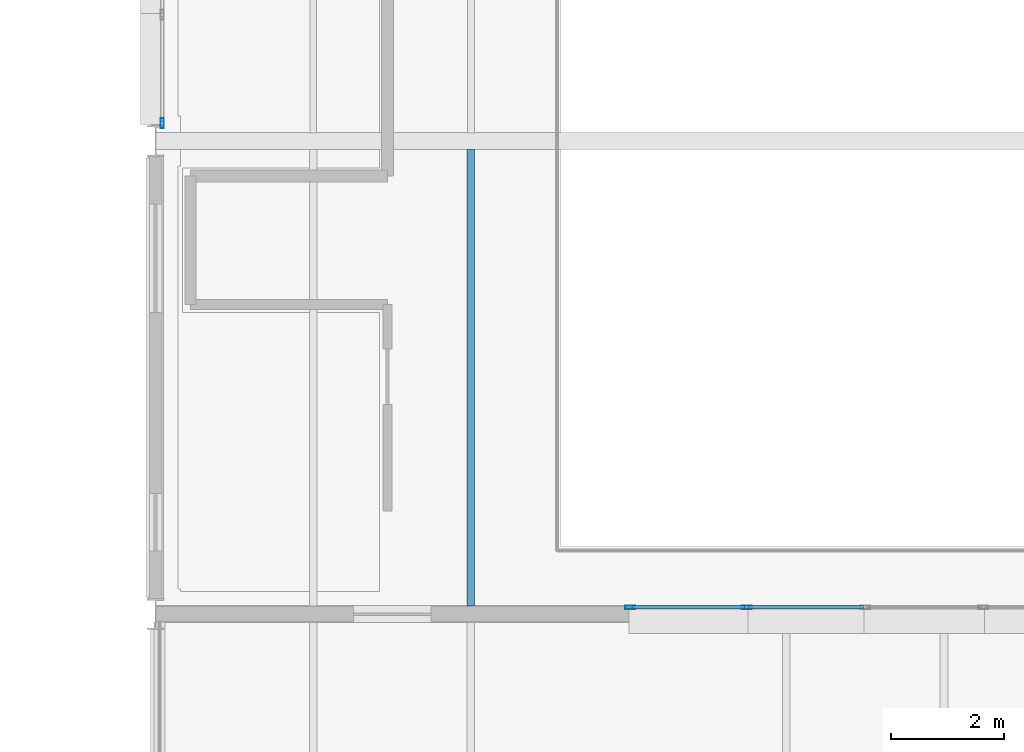
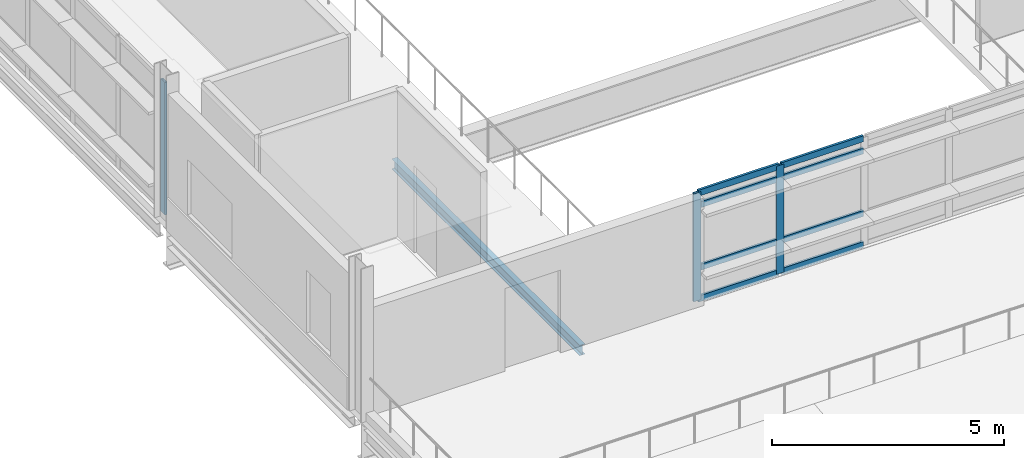
# One storey, part 20 of 131: 11 members, 1 beam, 2 elements without a shape of their own.
"""IFC4 building model written with IfcOpenShell, lengths in metres."""

from ifc_helpers import new_model, si_unit, direction, frame, origin, origin_2d, place, context, subcontext, project, spatial, hollow_rectangle, i_section, extrude, material, material_profile, profile_set, type_object, element, aggregate, save


model = new_model("IFC4")

# Units and contexts
model_context = context("Model", 3, precision=1e-05, world=origin(), true_north=direction((0.0, 1.0)))
body_context = subcontext(model_context, "Body", "Model", "MODEL_VIEW")
ifc_project = project(units=[si_unit("LENGTHUNIT", "METRE"), si_unit("AREAUNIT", "SQUARE_METRE"), si_unit("VOLUMEUNIT", "CUBIC_METRE"), si_unit("PLANEANGLEUNIT", "RADIAN"), si_unit("MASSUNIT", "GRAM", prefix="KILO")], contexts=[model_context])

# Site, building, storey
site_placement = place(None, origin())
site = spatial("IfcSite", under=ifc_project, at=site_placement, CompositionType="ELEMENT")
building_placement = place(site_placement, origin())
building = spatial("IfcBuilding", under=site, at=building_placement, Name="Mersafa Astral City Hall", CompositionType="ELEMENT")
storey_placement = place(building_placement, frame((0.0, 0.0, 13.949951171875)))
storey = spatial("IfcBuildingStorey", under=building, at=storey_placement, Name="L03", CompositionType="ELEMENT", Elevation=13.949951171875)

# Curtain wall, member
ifc_material_1 = material(Name="Anodised bronze aluminium framing", Category="aluminium")
curtain_wall_type_1 = type_object("IfcCurtainWallType", Name="ENV-CW-2", PredefinedType="USERDEFINED", material=ifc_material_1)
curtain_wall_1_placement = place(storey_placement, origin())
curtain_wall_1 = element("IfcCurtainWall", 1, at=curtain_wall_1_placement, inside=storey, type_object=curtain_wall_type_1, Name="L03 Unitised solar curtain wall 187", ObjectType="UNITISED CURTAIN WALL", PredefinedType="USERDEFINED")
ifc_material_profile_1 = material_profile(ifc_material_1, hollow_rectangle(XDim=0.06005859375, YDim=0.179931640625, WallThickness=0.00390625, at=origin_2d()), Name="RHS 60x180x4")
ifc_profile_set_1 = profile_set([ifc_material_profile_1], Name="Anodised bronze aluminium framing")
member_type_1 = type_object("IfcMemberType", Name="ENV-CW-MUL-1", PredefinedType="MULLION", material=ifc_profile_set_1)
member_1_placement = place(storey_placement, frame((92.52001953125, 59.116943359375, -0.001953125), z_axis=(0.0, 0.0, 1.0), x_axis=(1.0, 0.0, 0.0)))
member_1 = element("IfcMember", 2, at=member_1_placement, type_object=member_type_1, Name="CW-2 mullion 5", PredefinedType="MULLION", context=body_context, shape_type="SweptSolid", body=[
    extrude(hollow_rectangle(XDim=0.06005859375, YDim=0.179931640625, WallThickness=0.00390625, at=origin_2d()), origin(), (0.0, 0.0, 1.0), 3.489013671875),
])
aggregate(curtain_wall_1, [member_1])

# Curtain wall, members
curtain_wall_type_2 = type_object("IfcCurtainWallType", Name="ENV-CW-3", PredefinedType="USERDEFINED", material=ifc_material_1)
curtain_wall_2_placement = place(storey_placement, origin())
curtain_wall_2 = element("IfcCurtainWall", 3, at=curtain_wall_2_placement, inside=storey, type_object=curtain_wall_type_2, Name="L03 Unitised solar curtain wall 188", ObjectType="UNITISED CURTAIN WALL", PredefinedType="USERDEFINED")
member_2_placement = place(storey_placement, frame((100.830078125, 50.52001953125, -0.001953125), z_axis=(0.0, 0.0, 1.0), x_axis=(0.0, 1.0, 0.0)))
member_2 = element("IfcMember", 4, at=member_2_placement, type_object=member_type_1, Name="CW-3 mullion 1", PredefinedType="MULLION", context=body_context, shape_type="SweptSolid", body=[
    extrude(hollow_rectangle(XDim=0.06005859375, YDim=0.179931640625, WallThickness=0.00390625, at=origin_2d()), origin(), (0.0, 0.0, 1.0), 2.84912109375),
])
member_3_placement = place(storey_placement, frame((102.89990234375, 50.52001953125, -0.001953125), z_axis=(0.0, 0.0, 1.0), x_axis=(0.0, 1.0, 0.0)))
member_3 = element("IfcMember", 5, at=member_3_placement, type_object=member_type_1, Name="CW-3 mullion 2", PredefinedType="MULLION", context=body_context, shape_type="SweptSolid", body=[
    extrude(hollow_rectangle(XDim=0.06005859375, YDim=0.179931640625, WallThickness=0.00390625, at=origin_2d()), origin(), (0.0, 0.0, 1.0), 2.84912109375),
])
ifc_material_profile_2 = material_profile(ifc_material_1, hollow_rectangle(XDim=0.06005859375, YDim=0.159912109375, WallThickness=0.00390625, at=origin_2d()), Name="RHS 60x160x4")
ifc_profile_set_2 = profile_set([ifc_material_profile_2], Name="Anodised bronze aluminium framing")
member_type_2 = type_object("IfcMemberType", Name="ENV-CW-TRN-2", PredefinedType="USERDEFINED", material=ifc_profile_set_2)
member_4_placement = place(storey_placement, frame((100.860107421875, 50.52001953125, 0.028076171875), z_axis=(1.0, 0.0, 0.0), x_axis=(0.0, 1.0, 0.0)))
member_4 = element("IfcMember", 6, at=member_4_placement, type_object=member_type_2, Name="CW-3 transom 1.1", ObjectType="TRANSOM", PredefinedType="USERDEFINED", context=body_context, shape_type="SweptSolid", body=[
    extrude(hollow_rectangle(XDim=0.06005859375, YDim=0.159912109375, WallThickness=0.00390625, at=origin_2d()), origin(), (0.0, 0.0, 1.0), 2.010009765625),
])
member_5_placement = place(storey_placement, frame((100.860107421875, 50.52001953125, 0.85009765625), z_axis=(1.0, 0.0, 0.0), x_axis=(0.0, 1.0, 0.0)))
member_5 = element("IfcMember", 7, at=member_5_placement, type_object=member_type_2, Name="CW-3 transom 1.2", ObjectType="TRANSOM", PredefinedType="USERDEFINED", context=body_context, shape_type="SweptSolid", body=[
    extrude(hollow_rectangle(XDim=0.06005859375, YDim=0.159912109375, WallThickness=0.00390625, at=origin_2d()), origin(), (0.0, 0.0, 1.0), 2.010009765625),
])
member_6_placement = place(storey_placement, frame((100.860107421875, 50.52001953125, 2.4970703125), z_axis=(1.0, 0.0, 0.0), x_axis=(0.0, 1.0, 0.0)))
member_6 = element("IfcMember", 8, at=member_6_placement, type_object=member_type_2, Name="CW-3 transom 1.3", ObjectType="TRANSOM", PredefinedType="USERDEFINED", context=body_context, shape_type="SweptSolid", body=[
    extrude(hollow_rectangle(XDim=0.06005859375, YDim=0.159912109375, WallThickness=0.00390625, at=origin_2d()), origin(), (0.0, 0.0, 1.0), 2.010009765625),
])
member_7_placement = place(storey_placement, frame((100.860107421875, 50.52001953125, 2.817138671875), z_axis=(1.0, 0.0, 0.0), x_axis=(0.0, 1.0, 0.0)))
member_7 = element("IfcMember", 9, at=member_7_placement, type_object=member_type_2, Name="CW-3 transom 1.4", ObjectType="TRANSOM", PredefinedType="USERDEFINED", context=body_context, shape_type="SweptSolid", body=[
    extrude(hollow_rectangle(XDim=0.06005859375, YDim=0.159912109375, WallThickness=0.00390625, at=origin_2d()), origin(), (0.0, 0.0, 1.0), 2.010009765625),
])
member_8_placement = place(storey_placement, frame((102.929931640625, 50.52001953125, 0.028076171875), z_axis=(1.0, 0.0, 0.0), x_axis=(0.0, 1.0, 0.0)))
member_8 = element("IfcMember", 10, at=member_8_placement, type_object=member_type_2, Name="CW-3 transom 2.1", ObjectType="TRANSOM", PredefinedType="USERDEFINED", context=body_context, shape_type="SweptSolid", body=[
    extrude(hollow_rectangle(XDim=0.06005859375, YDim=0.159912109375, WallThickness=0.00390625, at=origin_2d()), origin(), (0.0, 0.0, 1.0), 2.0400390625),
])
member_9_placement = place(storey_placement, frame((102.929931640625, 50.52001953125, 0.85009765625), z_axis=(1.0, 0.0, 0.0), x_axis=(0.0, 1.0, 0.0)))
member_9 = element("IfcMember", 11, at=member_9_placement, type_object=member_type_2, Name="CW-3 transom 2.2", ObjectType="TRANSOM", PredefinedType="USERDEFINED", context=body_context, shape_type="SweptSolid", body=[
    extrude(hollow_rectangle(XDim=0.06005859375, YDim=0.159912109375, WallThickness=0.00390625, at=origin_2d()), origin(), (0.0, 0.0, 1.0), 2.0400390625),
])
member_10_placement = place(storey_placement, frame((102.929931640625, 50.52001953125, 2.4970703125), z_axis=(1.0, 0.0, 0.0), x_axis=(0.0, 1.0, 0.0)))
member_10 = element("IfcMember", 12, at=member_10_placement, type_object=member_type_2, Name="CW-3 transom 2.3", ObjectType="TRANSOM", PredefinedType="USERDEFINED", context=body_context, shape_type="SweptSolid", body=[
    extrude(hollow_rectangle(XDim=0.06005859375, YDim=0.159912109375, WallThickness=0.00390625, at=origin_2d()), origin(), (0.0, 0.0, 1.0), 2.0400390625),
])
member_11_placement = place(storey_placement, frame((102.929931640625, 50.52001953125, 2.817138671875), z_axis=(1.0, 0.0, 0.0), x_axis=(0.0, 1.0, 0.0)))
member_11 = element("IfcMember", 13, at=member_11_placement, type_object=member_type_2, Name="CW-3 transom 2.4", ObjectType="TRANSOM", PredefinedType="USERDEFINED", context=body_context, shape_type="SweptSolid", body=[
    extrude(hollow_rectangle(XDim=0.06005859375, YDim=0.159912109375, WallThickness=0.00390625, at=origin_2d()), origin(), (0.0, 0.0, 1.0), 2.0400390625),
])
aggregate(curtain_wall_2, [member_2, member_3, member_4, member_5, member_6, member_7, member_8, member_9, member_10, member_11])

# Beam
ifc_material_2 = material(Name="Steel S355", Category="steel")
ifc_material_profile_3 = material_profile(ifc_material_2, i_section(OverallWidth=0.135009765625, OverallDepth=0.27001953125, WebThickness=0.006591796875, FlangeThickness=0.01025390625, FilletRadius=0.014892578125, at=origin_2d()), Name="IPE 270")
ifc_profile_set_3 = profile_set([ifc_material_profile_3], Name="Steel S355")
beam_type = type_object("IfcBeamType", Name="STR-BM-JOIST-IPE270", PredefinedType="JOIST", material=ifc_profile_set_3)
beam_placement = place(storey_placement, frame((98.0, 50.544921875, -0.3349609375), z_axis=(0.0, 1.0, 0.0), x_axis=(-1.0, 0.0, 0.0)))
element("IfcBeam", 14, at=beam_placement, inside=storey, type_object=beam_type, Name="L03 Composite secondary floor joist 583", PredefinedType="JOIST", context=body_context, shape_type="SweptSolid", body=[
    extrude(i_section(OverallWidth=0.135009765625, OverallDepth=0.27001953125, WebThickness=0.006591796875, FlangeThickness=0.01025390625, FilletRadius=0.014892578125, at=origin_2d()), origin(), (0.0, 0.0, 1.0), 8.110107421875),
])

save(model, "model.ifc")
